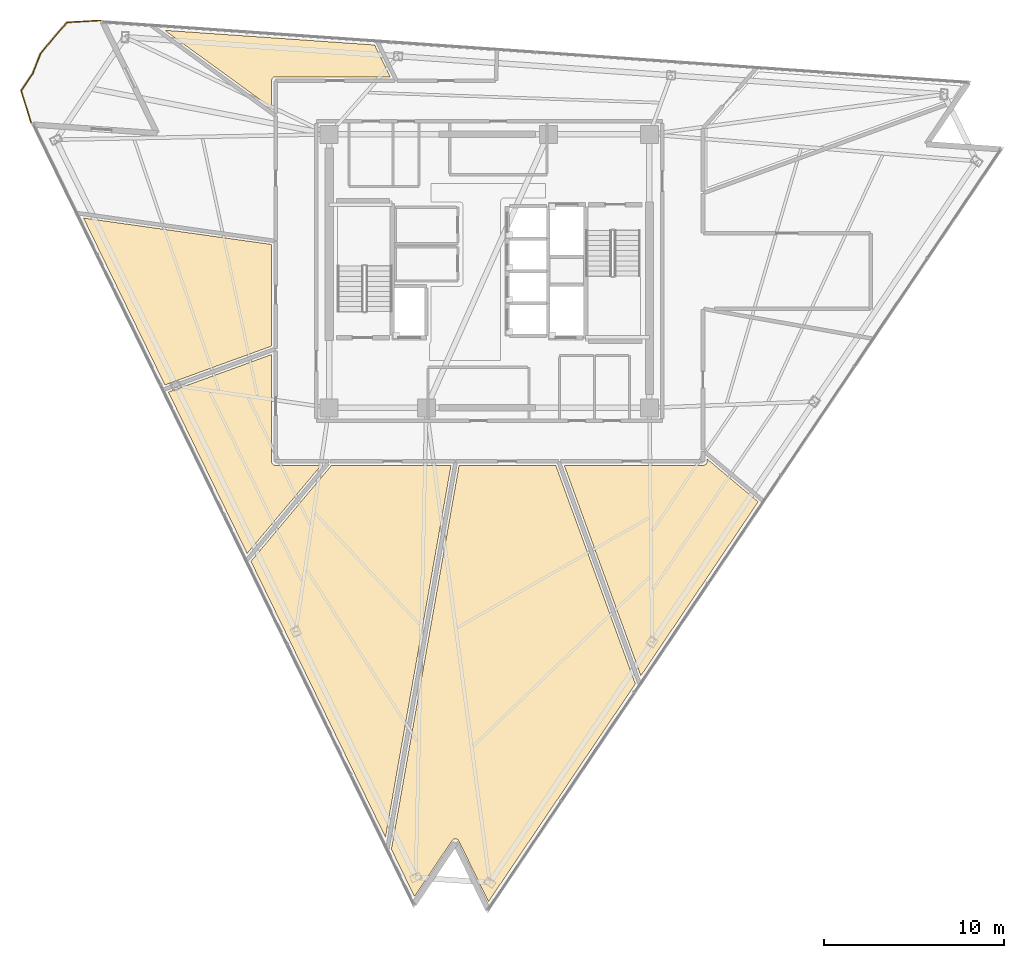
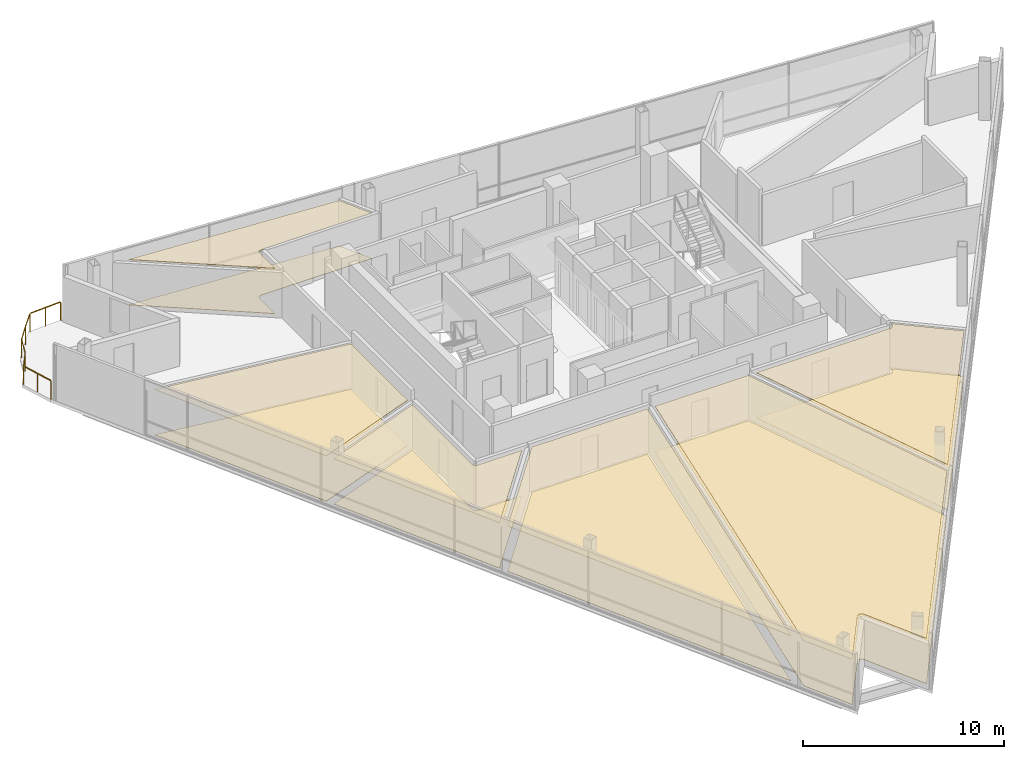
# One storey, part 12 of 14: 12 coverings, 1 railing.
"""IFC4 building model written with IfcOpenShell, lengths in metres."""

from ifc_helpers import new_model, si_unit, direction, frame, origin, origin_2d, place, context, subcontext, project, spatial, polyline, rectangle, outline, extrude, material, layer, layer_set, type_object, element, save


model = new_model("IFC4")

# Units and contexts
model_context = context("Model", 3, precision=1e-05, world=origin(), true_north=direction((0.0, 1.0)))
body_context = subcontext(model_context, "Body", "Model", "MODEL_VIEW")
ifc_project = project(units=[si_unit("LENGTHUNIT", "METRE"), si_unit("AREAUNIT", "SQUARE_METRE"), si_unit("VOLUMEUNIT", "CUBIC_METRE"), si_unit("PLANEANGLEUNIT", "RADIAN"), si_unit("MASSUNIT", "GRAM", prefix="KILO")], contexts=[model_context])

# Site, building, storey
site_placement = place(None, origin())
site = spatial("IfcSite", under=ifc_project, at=site_placement, CompositionType="ELEMENT")
building_placement = place(site_placement, origin())
building = spatial("IfcBuilding", under=site, at=building_placement, Name="Tharavind Bronze Gate", CompositionType="ELEMENT")
storey_placement = place(building_placement, frame((0.0, 0.0, 237.85009765625)))
storey = spatial("IfcBuildingStorey", under=building, at=storey_placement, Name="L61", CompositionType="ELEMENT", Elevation=237.85009765625)

# Coverings
ifc_material_1 = material(Name="Engineered Oak & Carpet Tile", Category="wood")
ifc_layer_1 = layer(ifc_material_1, 0.02490234375)
ifc_layer_set_1 = layer_set([ifc_layer_1], Name="Engineered Oak & Carpet Tile")
covering_type_1 = type_object("IfcCoveringType", Name="ENGINEERED TIMBER FLOORING", PredefinedType="FLOORING", material=ifc_layer_set_1)
covering_1_placement = place(storey_placement, origin())
element("IfcCovering", 1, at=covering_1_placement, inside=storey, type_object=covering_type_1, Name="L61-RM-03 floor finish", PredefinedType="FLOORING", context=body_context, shape_type="SweptSolid", body=[
    extrude(outline(polyline([(-12.10009765625, 9.06298828125), (-12.10009765625, 10.579345703125), (-12.099609375, 10.590087890625), (-12.099609375, 10.5908203125), (-12.09765625, 10.6123046875), (-12.093505859375, 10.63330078125), (-12.087158203125, 10.654052734375), (-12.078857421875, 10.674072265625), (-12.068603515625, 10.693115234375), (-12.056640625, 10.7109375), (-12.04296875, 10.727783203125), (-12.027587890625, 10.742919921875), (-12.010986328125, 10.756591796875), (-11.9931640625, 10.768798828125), (-11.97412109375, 10.77880859375), (-11.9541015625, 10.787109375), (-11.933349609375, 10.79345703125), (-11.912353515625, 10.797607421875), (-11.890869140625, 10.7998046875), (-11.89013671875, 10.7998046875), (-11.87939453125, 10.800048828125), (-5.51220703125, 10.800048828125), (-6.3740234375, 12.56689453125), (-18.0458984375, 13.383056640625), (-12.10009765625, 9.06298828125)])), origin(), (0.0, 0.0, 1.0), 0.02490234375),
])
covering_2_placement = place(storey_placement, origin())
element("IfcCovering", 2, at=covering_2_placement, inside=storey, type_object=covering_type_1, Name="L61-RM-05 floor finish", PredefinedType="FLOORING", context=body_context, shape_type="SweptSolid", body=[
    extrude(outline(polyline([(-18.034423828125, -6.329833984375), (-12.10009765625, -4.169921875), (-12.10009765625, 1.478515625), (-22.559814453125, 2.948486328125), (-18.034423828125, -6.329833984375)])), origin(), (0.0, 0.0, 1.0), 0.02490234375),
])
covering_3_placement = place(storey_placement, origin())
element("IfcCovering", 3, at=covering_3_placement, inside=storey, type_object=covering_type_1, Name="L61-RM-06 floor finish", PredefinedType="FLOORING", context=body_context, shape_type="SweptSolid", body=[
    extrude(outline(polyline([(-13.463134765625, -15.70263671875), (-9.349609375, -10.800048828125), (-11.87939453125, -10.800048828125), (-11.89013671875, -10.7998046875), (-11.890869140625, -10.7998046875), (-11.912353515625, -10.797607421875), (-11.933349609375, -10.79345703125), (-11.9541015625, -10.787109375), (-11.97412109375, -10.77880859375), (-11.9931640625, -10.768798828125), (-12.010986328125, -10.756591796875), (-12.027587890625, -10.742919921875), (-12.04296875, -10.727783203125), (-12.056640625, -10.7109375), (-12.068603515625, -10.693115234375), (-12.078857421875, -10.674072265625), (-12.087158203125, -10.654052734375), (-12.093505859375, -10.63330078125), (-12.09765625, -10.6123046875), (-12.099609375, -10.5908203125), (-12.099609375, -10.590087890625), (-12.10009765625, -10.579345703125), (-12.10009765625, -4.63818359375), (-17.840576171875, -6.7275390625), (-13.463134765625, -15.70263671875)])), origin(), (0.0, 0.0, 1.0), 0.02490234375),
])
covering_4_placement = place(storey_placement, origin())
element("IfcCovering", 4, at=covering_4_placement, inside=storey, type_object=covering_type_1, Name="L61-RM-07 floor finish", PredefinedType="FLOORING", context=body_context, shape_type="SweptSolid", body=[
    extrude(outline(polyline([(-5.7724609375, -31.470703125), (-2.127685546875, -10.800048828125), (-8.775146484375, -10.800048828125), (-13.252197265625, -16.135498046875), (-5.7724609375, -31.470703125)])), origin(), (0.0, 0.0, 1.0), 0.02490234375),
])
covering_5_placement = place(storey_placement, origin())
element("IfcCovering", 5, at=covering_5_placement, inside=storey, type_object=covering_type_1, Name="L61-RM-08 floor finish", PredefinedType="FLOORING", context=body_context, shape_type="SweptSolid", body=[
    extrude(outline(polyline([(-4.16455078125, -34.767578125), (-2.069580078125, -31.66162109375), (-2.0634765625, -31.65283203125), (-2.06298828125, -31.65234375), (-2.049072265625, -31.635498046875), (-2.033447265625, -31.6201171875), (-2.016357421875, -31.606201171875), (-1.998046875, -31.59423828125), (-1.978515625, -31.584228515625), (-1.9580078125, -31.576171875), (-1.93701171875, -31.570068359375), (-1.91552734375, -31.566162109375), (-1.8935546875, -31.564453125), (-1.87158203125, -31.564697265625), (-1.849853515625, -31.5673828125), (-1.82861328125, -31.572265625), (-1.8076171875, -31.5791015625), (-1.78759765625, -31.587890625), (-1.7685546875, -31.598876953125), (-1.750732421875, -31.611572265625), (-1.734130859375, -31.6259765625), (-1.71923828125, -31.64208984375), (-1.705810546875, -31.659423828125), (-1.6943359375, -31.677978515625), (-1.694091796875, -31.6787109375), (-1.68896484375, -31.688232421875), (-0.046630859375, -35.055419921875), (8.118896484375, -22.94970703125), (3.69677734375, -10.800048828125), (-1.680908203125, -10.800048828125), (-5.4443359375, -32.1435546875), (-4.16455078125, -34.767578125)])), origin(), (0.0, 0.0, 1.0), 0.02490234375),
])
covering_6_placement = place(storey_placement, origin())
element("IfcCovering", 6, at=covering_6_placement, inside=storey, type_object=covering_type_1, Name="L61-RM-09 floor finish", PredefinedType="FLOORING", context=body_context, shape_type="SweptSolid", body=[
    extrude(outline(polyline([(8.423095703125, -22.498779296875), (14.94580078125, -12.828125), (12.10009765625, -10.440185546875), (12.10009765625, -10.579345703125), (12.099609375, -10.590087890625), (12.099609375, -10.5908203125), (12.09765625, -10.6123046875), (12.093505859375, -10.63330078125), (12.087158203125, -10.654052734375), (12.078857421875, -10.674072265625), (12.068603515625, -10.693115234375), (12.056640625, -10.7109375), (12.04296875, -10.727783203125), (12.027587890625, -10.742919921875), (12.010986328125, -10.756591796875), (11.9931640625, -10.768798828125), (11.97412109375, -10.77880859375), (11.9541015625, -10.787109375), (11.933349609375, -10.79345703125), (11.912353515625, -10.797607421875), (11.890869140625, -10.7998046875), (11.89013671875, -10.7998046875), (11.87939453125, -10.800048828125), (4.1650390625, -10.800048828125), (8.423095703125, -22.498779296875)])), origin(), (0.0, 0.0, 1.0), 0.02490234375),
])
ifc_material_2 = material(Name="Acoustic Gypsum Board", Category="gypsum")
ifc_layer_2 = layer(ifc_material_2, 0.030029296875)
ifc_layer_set_2 = layer_set([ifc_layer_2], Name="Acoustic Gypsum Board")
covering_type_2 = type_object("IfcCoveringType", Name="GYPSUM SUSPENDED CEILING", PredefinedType="CEILING", material=ifc_layer_set_2)
covering_7_placement = place(storey_placement, frame((0.0, 0.0, 2.75)))
element("IfcCovering", 7, at=covering_7_placement, inside=storey, type_object=covering_type_2, Name="L61-RM-03 suspended ceiling", PredefinedType="CEILING", context=body_context, shape_type="SweptSolid", body=[
    extrude(outline(polyline([(-12.10009765625, 9.06298828125), (-12.10009765625, 10.579345703125), (-12.099609375, 10.590087890625), (-12.099609375, 10.5908203125), (-12.09765625, 10.6123046875), (-12.093505859375, 10.63330078125), (-12.087158203125, 10.654052734375), (-12.078857421875, 10.674072265625), (-12.068603515625, 10.693115234375), (-12.056640625, 10.7109375), (-12.04296875, 10.727783203125), (-12.027587890625, 10.742919921875), (-12.010986328125, 10.756591796875), (-11.9931640625, 10.768798828125), (-11.97412109375, 10.77880859375), (-11.9541015625, 10.787109375), (-11.933349609375, 10.79345703125), (-11.912353515625, 10.797607421875), (-11.890869140625, 10.7998046875), (-11.89013671875, 10.7998046875), (-11.87939453125, 10.800048828125), (-5.51220703125, 10.800048828125), (-6.3740234375, 12.56689453125), (-18.0458984375, 13.383056640625), (-12.10009765625, 9.06298828125)])), origin(), (0.0, 0.0, 1.0), 0.034912109375),
])
covering_8_placement = place(storey_placement, frame((0.0, 0.0, 2.75)))
element("IfcCovering", 8, at=covering_8_placement, inside=storey, type_object=covering_type_2, Name="L61-RM-05 suspended ceiling", PredefinedType="CEILING", context=body_context, shape_type="SweptSolid", body=[
    extrude(outline(polyline([(-18.034423828125, -6.329833984375), (-12.10009765625, -4.169921875), (-12.10009765625, 1.478515625), (-22.559814453125, 2.948486328125), (-18.034423828125, -6.329833984375)])), origin(), (0.0, 0.0, 1.0), 0.034912109375),
])
covering_9_placement = place(storey_placement, frame((0.0, 0.0, 2.75)))
element("IfcCovering", 9, at=covering_9_placement, inside=storey, type_object=covering_type_2, Name="L61-RM-06 suspended ceiling", PredefinedType="CEILING", context=body_context, shape_type="SweptSolid", body=[
    extrude(outline(polyline([(-13.463134765625, -15.70263671875), (-9.349609375, -10.800048828125), (-11.87939453125, -10.800048828125), (-11.89013671875, -10.7998046875), (-11.890869140625, -10.7998046875), (-11.912353515625, -10.797607421875), (-11.933349609375, -10.79345703125), (-11.9541015625, -10.787109375), (-11.97412109375, -10.77880859375), (-11.9931640625, -10.768798828125), (-12.010986328125, -10.756591796875), (-12.027587890625, -10.742919921875), (-12.04296875, -10.727783203125), (-12.056640625, -10.7109375), (-12.068603515625, -10.693115234375), (-12.078857421875, -10.674072265625), (-12.087158203125, -10.654052734375), (-12.093505859375, -10.63330078125), (-12.09765625, -10.6123046875), (-12.099609375, -10.5908203125), (-12.099609375, -10.590087890625), (-12.10009765625, -10.579345703125), (-12.10009765625, -4.63818359375), (-17.840576171875, -6.7275390625), (-13.463134765625, -15.70263671875)])), origin(), (0.0, 0.0, 1.0), 0.034912109375),
])
covering_10_placement = place(storey_placement, frame((0.0, 0.0, 2.75)))
element("IfcCovering", 10, at=covering_10_placement, inside=storey, type_object=covering_type_2, Name="L61-RM-07 suspended ceiling", PredefinedType="CEILING", context=body_context, shape_type="SweptSolid", body=[
    extrude(outline(polyline([(-5.7724609375, -31.470703125), (-2.127685546875, -10.800048828125), (-8.775146484375, -10.800048828125), (-13.252197265625, -16.135498046875), (-5.7724609375, -31.470703125)])), origin(), (0.0, 0.0, 1.0), 0.034912109375),
])
covering_11_placement = place(storey_placement, frame((0.0, 0.0, 2.75)))
element("IfcCovering", 11, at=covering_11_placement, inside=storey, type_object=covering_type_2, Name="L61-RM-08 suspended ceiling", PredefinedType="CEILING", context=body_context, shape_type="SweptSolid", body=[
    extrude(outline(polyline([(-4.16455078125, -34.767578125), (-2.069580078125, -31.66162109375), (-2.0634765625, -31.65283203125), (-2.06298828125, -31.65234375), (-2.049072265625, -31.635498046875), (-2.033447265625, -31.6201171875), (-2.016357421875, -31.606201171875), (-1.998046875, -31.59423828125), (-1.978515625, -31.584228515625), (-1.9580078125, -31.576171875), (-1.93701171875, -31.570068359375), (-1.91552734375, -31.566162109375), (-1.8935546875, -31.564453125), (-1.87158203125, -31.564697265625), (-1.849853515625, -31.5673828125), (-1.82861328125, -31.572265625), (-1.8076171875, -31.5791015625), (-1.78759765625, -31.587890625), (-1.7685546875, -31.598876953125), (-1.750732421875, -31.611572265625), (-1.734130859375, -31.6259765625), (-1.71923828125, -31.64208984375), (-1.705810546875, -31.659423828125), (-1.6943359375, -31.677978515625), (-1.694091796875, -31.6787109375), (-1.68896484375, -31.688232421875), (-0.046630859375, -35.055419921875), (8.118896484375, -22.94970703125), (3.69677734375, -10.800048828125), (-1.680908203125, -10.800048828125), (-5.4443359375, -32.1435546875), (-4.16455078125, -34.767578125)])), origin(), (0.0, 0.0, 1.0), 0.034912109375),
])
covering_12_placement = place(storey_placement, frame((0.0, 0.0, 2.75)))
element("IfcCovering", 12, at=covering_12_placement, inside=storey, type_object=covering_type_2, Name="L61-RM-09 suspended ceiling", PredefinedType="CEILING", context=body_context, shape_type="SweptSolid", body=[
    extrude(outline(polyline([(8.423095703125, -22.498779296875), (14.94580078125, -12.828125), (12.10009765625, -10.440185546875), (12.10009765625, -10.579345703125), (12.099609375, -10.590087890625), (12.099609375, -10.5908203125), (12.09765625, -10.6123046875), (12.093505859375, -10.63330078125), (12.087158203125, -10.654052734375), (12.078857421875, -10.674072265625), (12.068603515625, -10.693115234375), (12.056640625, -10.7109375), (12.04296875, -10.727783203125), (12.027587890625, -10.742919921875), (12.010986328125, -10.756591796875), (11.9931640625, -10.768798828125), (11.97412109375, -10.77880859375), (11.9541015625, -10.787109375), (11.933349609375, -10.79345703125), (11.912353515625, -10.797607421875), (11.890869140625, -10.7998046875), (11.89013671875, -10.7998046875), (11.87939453125, -10.800048828125), (4.1650390625, -10.800048828125), (8.423095703125, -22.498779296875)])), origin(), (0.0, 0.0, 1.0), 0.034912109375),
])

# Railing
ifc_material_3 = material(Name="Bronze Cap & Laminated Glass", Category="glass")
railing_type = type_object("IfcRailingType", Name="TERRACE GLASS GUARD RAILING 1150", PredefinedType="GUARDRAIL", material=ifc_material_3)
railing_placement = place(storey_placement, frame((-25.4697265625, 8.230224609375, 0.0)))
element("IfcRailing", 13, at=railing_placement, inside=storey, type_object=railing_type, Name="L61 tree balcony guard railing", PredefinedType="GUARDRAIL", context=body_context, shape_type="SweptSolid", body=[
    extrude(rectangle(XDim=0.048095703125, YDim=0.048095703125, at=origin_2d()), frame((-0.009521484375, 0.030517578125, 1.1259765625), z_axis=(-0.294314517562, 0.955708619168, 0.0), x_axis=(-0.955708619168, -0.294314517562, 0.0)), (0.0, 0.0, 1.0), 1.8115234375),
    extrude(rectangle(XDim=0.048095703125, YDim=0.048095703125, at=origin_2d()), frame((-0.5341796875, 1.819091796875, 1.1259765625), z_axis=(0.559213151727, 0.829023914574, 0.0), x_axis=(-0.829023914574, 0.559213151727, 0.0)), (0.0, 0.0, 1.0), 1.08251953125),
    extrude(rectangle(XDim=0.048095703125, YDim=0.048095703125, at=origin_2d()), frame((0.1005859375, 2.772705078125, 1.1259765625), z_axis=(0.361885115159, 0.932222700553, 0.0), x_axis=(-0.932222700553, 0.361885115159, 0.0)), (0.0, 0.0, 1.0), 1.11181640625),
    extrude(rectangle(XDim=0.048095703125, YDim=0.048095703125, at=origin_2d()), frame((0.53515625, 3.86376953125, 1.1259765625), z_axis=(0.637324854119, 0.77059524416, 0.0), x_axis=(-0.77059524416, 0.637324854119, 0.0)), (0.0, 0.0, 1.0), 1.08837890625),
    extrude(rectangle(XDim=0.048095703125, YDim=0.048095703125, at=origin_2d()), frame((1.270263671875, 4.7509765625, 1.1259765625), z_axis=(0.660580286946, 0.750755409237, 0.0), x_axis=(-0.750755409237, 0.660580286946, 0.0)), (0.0, 0.0, 1.0), 1.092041015625),
    extrude(rectangle(XDim=0.048095703125, YDim=0.048095703125, at=origin_2d()), frame((2.044677734375, 5.596923828125, 1.1259765625), z_axis=(0.998250930511, 0.059119199371, 0.0), x_axis=(-0.059119199371, 0.998250930511, 0.0)), (0.0, 0.0, 1.0), 1.773681640625),
    extrude(rectangle(XDim=0.0400390625, YDim=0.0400390625, at=origin_2d()), origin(), (0.0, 0.0, 1.0), 1.097900390625),
    extrude(rectangle(XDim=0.0400390625, YDim=0.0400390625, at=origin_2d()), frame((-0.27587890625, 0.896240234375, 0.0)), (0.0, 0.0, 1.0), 1.097900390625),
    extrude(rectangle(XDim=0.0400390625, YDim=0.0400390625, at=origin_2d()), frame((-0.552001953125, 1.79248046875, 0.0)), (0.0, 0.0, 1.0), 1.097900390625),
    extrude(rectangle(XDim=0.0400390625, YDim=0.0400390625, at=origin_2d()), frame((0.089111328125, 2.742919921875, 0.0)), (0.0, 0.0, 1.0), 1.097900390625),
    extrude(rectangle(XDim=0.0400390625, YDim=0.0400390625, at=origin_2d()), frame((0.5146484375, 3.839111328125, 0.0)), (0.0, 0.0, 1.0), 1.097900390625),
    extrude(rectangle(XDim=0.0400390625, YDim=0.0400390625, at=origin_2d()), frame((1.2490234375, 4.72705078125, 0.0)), (0.0, 0.0, 1.0), 1.097900390625),
    extrude(rectangle(XDim=0.0400390625, YDim=0.0400390625, at=origin_2d()), frame((2.0126953125, 5.594970703125, 0.0)), (0.0, 0.0, 1.0), 1.097900390625),
    extrude(rectangle(XDim=0.0400390625, YDim=0.0400390625, at=origin_2d()), frame((2.929931640625, 5.6494140625, 0.0)), (0.0, 0.0, 1.0), 1.097900390625),
    extrude(rectangle(XDim=0.0400390625, YDim=0.0400390625, at=origin_2d()), frame((3.84716796875, 5.70361328125, 0.0)), (0.0, 0.0, 1.0), 1.097900390625),
])

save(model, "model.ifc")
